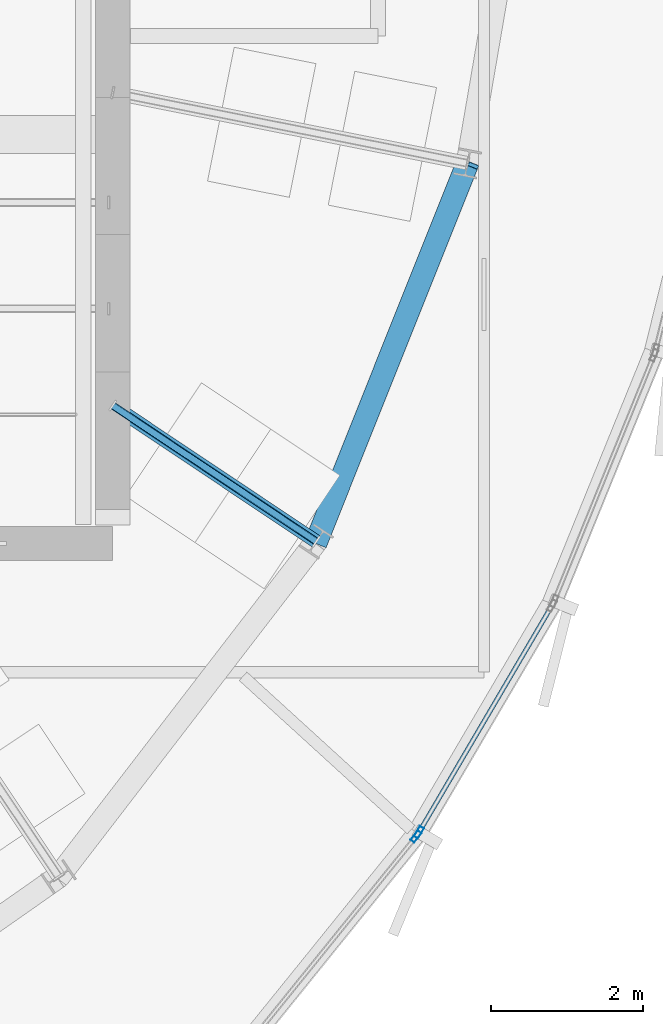
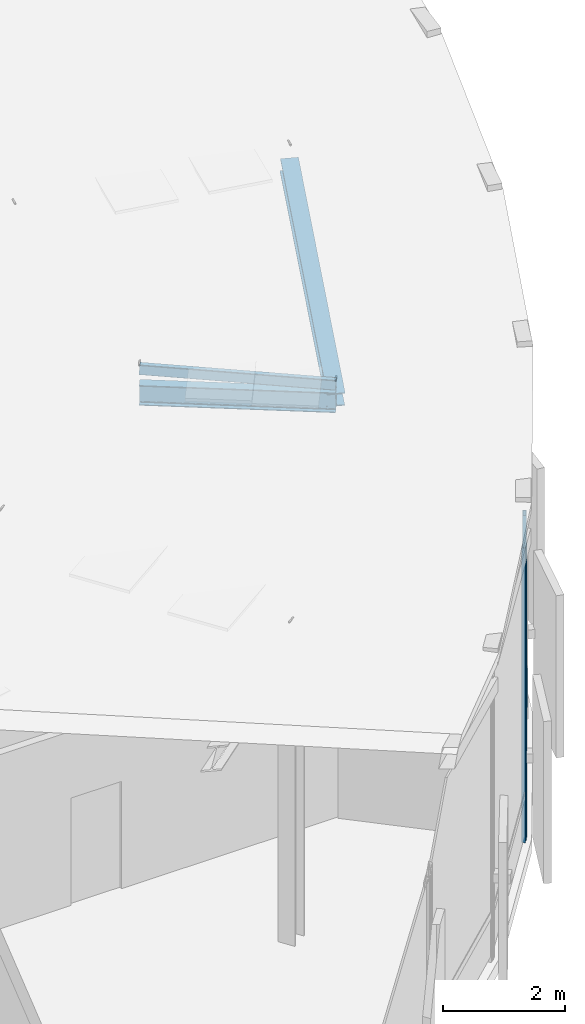
# One storey, part 9 of 36: 4 members, 2 beams, 2 elements without a shape of their own.
"""IFC4 building model written with IfcOpenShell, lengths in metres."""

from ifc_helpers import new_model, si_unit, direction, frame, origin, origin_2d, place, context, subcontext, project, spatial, hollow_rectangle, i_section, extrude, source, transform, mapped, material, layer, layer_set, material_profile, profile_set, type_object, element, aggregate, save


model = new_model("IFC4")

# Units and contexts
model_context = context("Model", 3, precision=1e-05, world=origin(), true_north=direction((0.0, 1.0)))
body_context = subcontext(model_context, "Body", "Model", "MODEL_VIEW")
ifc_project = project(units=[si_unit("LENGTHUNIT", "METRE"), si_unit("AREAUNIT", "SQUARE_METRE"), si_unit("VOLUMEUNIT", "CUBIC_METRE"), si_unit("PLANEANGLEUNIT", "RADIAN"), si_unit("MASSUNIT", "GRAM", prefix="KILO"), si_unit("THERMODYNAMICTEMPERATUREUNIT", "KELVIN")], contexts=[model_context])

# Site, building, storey
site_placement = place(None, origin())
site = spatial("IfcSite", under=ifc_project, at=site_placement, CompositionType="ELEMENT")
building_placement = place(site_placement, origin())
building = spatial("IfcBuilding", under=site, at=building_placement, Name="Kethvar Cultural Tower", CompositionType="ELEMENT")
storey_placement = place(building_placement, frame((0.0, 0.0, 324.300048828125)))
storey = spatial("IfcBuildingStorey", under=building, at=storey_placement, Name="L86", CompositionType="ELEMENT", Elevation=324.300048828125)

# Beams
ifc_material_1 = material(Name="Steel S355J2", Category="steel")
ifc_material_profile_1 = material_profile(ifc_material_1, i_section(OverallWidth=0.179931640625, OverallDepth=0.39990234375, WebThickness=0.008544921875, FlangeThickness=0.013427734375, FilletRadius=0.02099609375, at=origin_2d()), Name="Steel S355J2 — IPE400")
ifc_profile_set_1 = profile_set([ifc_material_profile_1], Name="Steel S355J2 — IPE400")
beam_type_1 = type_object("IfcBeamType", Name="BM-IPE400", PredefinedType="BEAM", material=ifc_profile_set_1)
shared_shape_1 = source(origin(), body_context, "Body", "SweptSolid", [
    extrude(i_section(OverallWidth=0.179931640625, OverallDepth=0.39990234375, WebThickness=0.008544921875, FlangeThickness=0.013427734375, FilletRadius=0.02099609375, at=origin_2d()), origin(), (0.0, 0.0, 1.0), 3.231689453125),
])
beam_1_placement = place(storey_placement, frame((55.60009765625, 21.919921875, 6.91748046875), z_axis=(0.831468648736, -0.555571546684, -0.000377734258), x_axis=(0.55557158632, 0.831468708055, 0.0)))
element("IfcBeam", 1, at=beam_1_placement, inside=storey, type_object=beam_type_1, Name="Crown Sloped Radial Rafter RB-15", PredefinedType="BEAM", context=body_context, shape_type="MappedRepresentation", body=[
    mapped(shared_shape_1, transform((0.0, 0.0, 0.0), scale=1.0)),
])
ifc_material_profile_2 = material_profile(ifc_material_1, i_section(OverallWidth=0.300048828125, OverallDepth=0.300048828125, WebThickness=0.010986328125, FlangeThickness=0.01904296875, FilletRadius=0.027099609375, at=origin_2d()), Name="Steel S355J2 — HEB300")
ifc_profile_set_2 = profile_set([ifc_material_profile_2], Name="Steel S355J2 — HEB300")
beam_type_2 = type_object("IfcBeamType", Name="BM-SP300", PredefinedType="SPANDREL", material=ifc_profile_set_2)
shared_shape_2 = source(origin(), body_context, "Body", "SweptSolid", [
    extrude(i_section(OverallWidth=0.300048828125, OverallDepth=0.300048828125, WebThickness=0.010986328125, FlangeThickness=0.01904296875, FilletRadius=0.027099609375, at=origin_2d()), origin(), (0.0, 0.0, 1.0), 5.468505859375),
])
beam_2_placement = place(storey_placement, frame((58.287109375, 20.12451171875, 6.916259765625), z_axis=(0.365097563007, 0.913101058472, 0.18152197251), x_axis=(-0.928526776864, 0.371265436914, 0.0)))
element("IfcBeam", 2, at=beam_2_placement, inside=storey, type_object=beam_type_2, Name="Crown Sloped Eave Ring Beam SP-15", PredefinedType="SPANDREL", context=body_context, shape_type="MappedRepresentation", body=[
    mapped(shared_shape_2, transform((0.0, 0.0, 0.0), scale=1.0)),
])

# Member
ifc_material_profile_3 = material_profile(ifc_material_1, hollow_rectangle(XDim=0.10009765625, YDim=0.199951171875, WallThickness=0.008056640625, InnerFilletRadius=0.008056640625, OuterFilletRadius=0.01611328125, at=origin_2d()), Name="Steel S355J2 — RHS200x100x8")
ifc_profile_set_3 = profile_set([ifc_material_profile_3], Name="Steel S355J2 — RHS200x100x8")
member_type_1 = type_object("IfcMemberType", Name="MB-GLAZ-200", PredefinedType="PURLIN", material=ifc_profile_set_3)
shared_shape_3 = source(origin(), body_context, "Body", "SweptSolid", [
    extrude(hollow_rectangle(XDim=0.10009765625, YDim=0.199951171875, WallThickness=0.008056640625, InnerFilletRadius=0.008056640625, OuterFilletRadius=0.01611328125, at=origin_2d()), origin(), (0.0, 0.0, 1.0), 3.23583984375),
])
member_1_placement = place(storey_placement, frame((55.60009765625, 21.919921875, 7.3984375), z_axis=(0.830421408639, -0.554871800757, -0.050175380406), x_axis=(0.55557158632, 0.831468708055, 0.0)))
element("IfcMember", 3, at=member_1_placement, inside=storey, type_object=member_type_1, Name="Sloped Crown Skylight Glazing Mullion Bar GB-15", PredefinedType="PURLIN", context=body_context, shape_type="MappedRepresentation", body=[
    mapped(shared_shape_3, transform((0.0, 0.0, 0.0), scale=1.0)),
])

# Curtain wall, members
ifc_material_2 = material(Name="Aluminium 6063-T6", Category="aluminium")
ifc_layer = layer(ifc_material_2, 0.179931640625, Name="Aluminium 6063-T6", Category="aluminium")
ifc_layer_set = layer_set([ifc_layer], Name="Aluminium 6063-T6 (180 mm)")
curtain_wall_type = type_object("IfcCurtainWallType", Name="CW-SYS-06-CROWN", PredefinedType="NOTDEFINED", material=ifc_layer_set)
curtain_wall_1_placement = place(storey_placement, origin())
curtain_wall_1 = element("IfcCurtainWall", 4, at=curtain_wall_1_placement, inside=storey, type_object=curtain_wall_type, Name="L86 Curtain Wall Run 26", PredefinedType="NOTDEFINED")
ifc_material_profile_4 = material_profile(ifc_material_2, hollow_rectangle(XDim=0.06494140625, YDim=0.159912109375, WallThickness=0.0048828125, at=origin_2d()), Name="Aluminium 6063-T6 — RHS160x65x5")
ifc_profile_set_4 = profile_set([ifc_material_profile_4], Name="Aluminium 6063-T6 — RHS160x65x5")
member_type_2 = type_object("IfcMemberType", Name="CW-SYS-06-CROWN-MUL", PredefinedType="MULLION", material=ifc_profile_set_4)
shared_shape_4 = source(origin(), body_context, "Body", "SweptSolid", [
    extrude(hollow_rectangle(XDim=0.06494140625, YDim=0.159912109375, WallThickness=0.0048828125, at=origin_2d()), origin(), (0.0, 0.0, 1.0), 6.505615234375),
])
member_2_placement = place(storey_placement, frame((59.641845703125, 16.28466796875, 0.0), z_axis=(0.0, 0.0, 1.0), x_axis=(-0.862601975623, 0.505883219381, 0.0)))
member_2 = element("IfcMember", 5, at=member_2_placement, type_object=member_type_2, Name="CW-L86-R26 Mullion 1", PredefinedType="MULLION", context=body_context, shape_type="MappedRepresentation", body=[
    mapped(shared_shape_4, transform((0.0, 0.0, 0.0), scale=1.0)),
])
ifc_material_profile_5 = material_profile(ifc_material_2, hollow_rectangle(XDim=0.06005859375, YDim=0.139892578125, WallThickness=0.0048828125, at=origin_2d()), Name="Aluminium 6063-T6 — RHS140x60x5")
ifc_profile_set_5 = profile_set([ifc_material_profile_5], Name="Aluminium 6063-T6 — RHS140x60x5")
member_type_3 = type_object("IfcMemberType", Name="CW-SYS-06-CROWN-TRN", PredefinedType="USERDEFINED", material=ifc_profile_set_5)
shared_shape_5 = source(origin(), body_context, "Body", "SweptSolid", [
    extrude(hollow_rectangle(XDim=0.06005859375, YDim=0.139892578125, WallThickness=0.0048828125, at=origin_2d()), origin(), (0.0, 0.0, 1.0), 3.4599609375),
])
member_3_placement = place(storey_placement, frame((59.64404296875, 16.28857421875, 0.949951171875), z_axis=(0.505857119894, 0.862617281448, 0.0), x_axis=(-0.862617281448, 0.505857119894, 0.0)))
member_3 = element("IfcMember", 6, at=member_3_placement, type_object=member_type_3, Name="CW-L86-R26 Transom 1", ObjectType="TRANSOM", PredefinedType="USERDEFINED", context=body_context, shape_type="MappedRepresentation", body=[
    mapped(shared_shape_5, transform((0.0, 0.0, 0.0), scale=1.0)),
])
aggregate(curtain_wall_1, [member_2, member_3])

# Curtain wall, member
curtain_wall_2_placement = place(storey_placement, origin())
curtain_wall_2 = element("IfcCurtainWall", 7, at=curtain_wall_2_placement, inside=storey, type_object=curtain_wall_type, Name="L86 Curtain Wall Run 25", PredefinedType="NOTDEFINED")
shared_shape_6 = source(origin(), body_context, "Body", "SweptSolid", [
    extrude(hollow_rectangle(XDim=0.06494140625, YDim=0.159912109375, WallThickness=0.0048828125, at=origin_2d()), origin(), (0.0, 0.0, 1.0), 5.903076171875),
])
member_4_placement = place(storey_placement, frame((59.60400390625, 16.22998046875, 0.0), z_axis=(0.0, 0.0, 1.0), x_axis=(-0.778034865304, 0.628221098318, 0.0)))
member_4 = element("IfcMember", 8, at=member_4_placement, type_object=member_type_2, Name="CW-L86-R25 Mullion 2", PredefinedType="MULLION", context=body_context, shape_type="MappedRepresentation", body=[
    mapped(shared_shape_6, transform((0.0, 0.0, 0.0), scale=1.0)),
])
aggregate(curtain_wall_2, [member_4])

save(model, "model.ifc")
